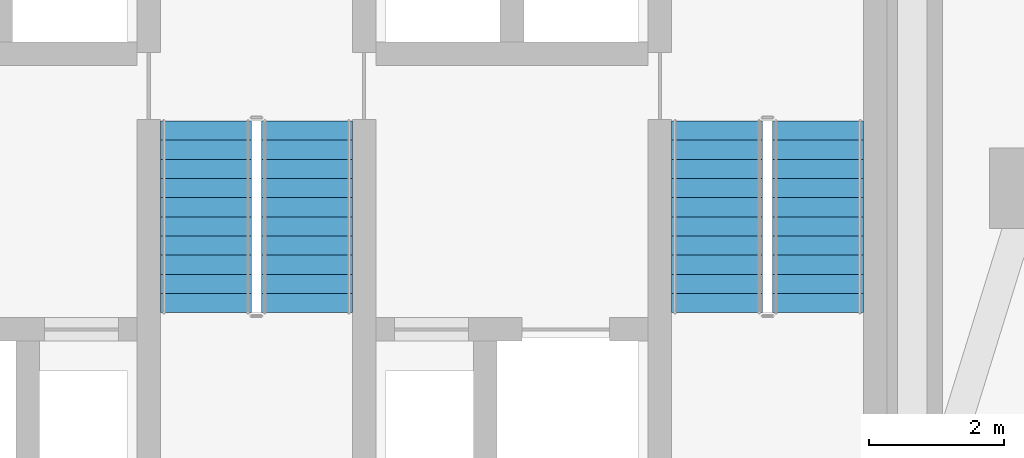
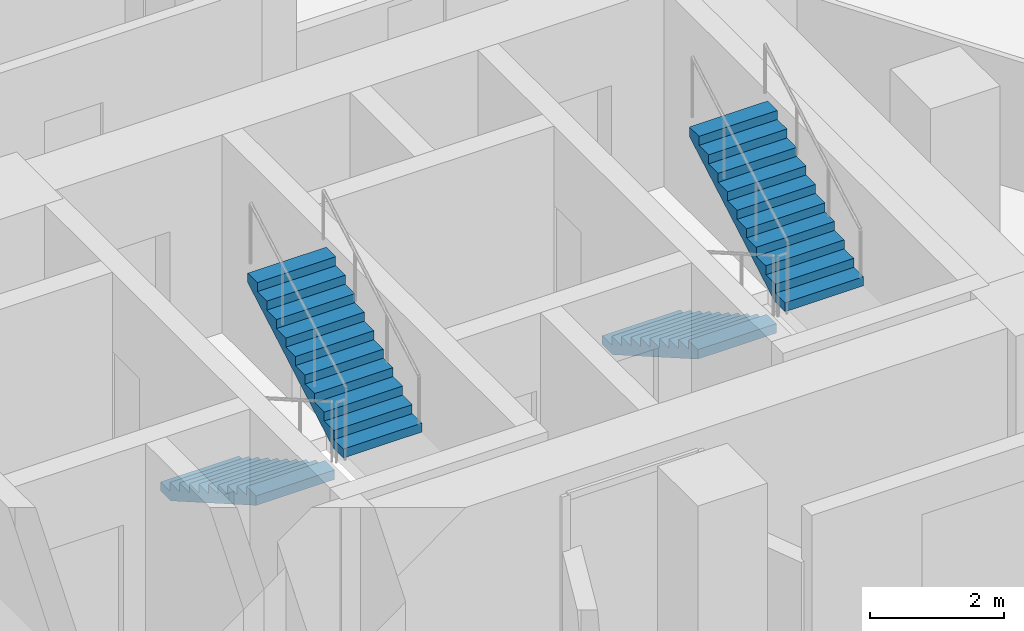
# One storey, part 10 of 13: 4 stair flights, 2 elements without a shape of their own.
"""IFC4 building model written with IfcOpenShell, lengths in metres."""

from ifc_helpers import new_model, si_unit, direction, frame, origin, place, context, subcontext, project, spatial, polyline, outline, extrude, material, type_object, element, aggregate, save


model = new_model("IFC4")

# Units and contexts
model_context = context("Model", 3, precision=1e-05, world=origin(), true_north=direction((0.0, 1.0)))
body_context = subcontext(model_context, "Body", "Model", "MODEL_VIEW")
ifc_project = project(units=[si_unit("LENGTHUNIT", "METRE"), si_unit("AREAUNIT", "SQUARE_METRE"), si_unit("VOLUMEUNIT", "CUBIC_METRE"), si_unit("PLANEANGLEUNIT", "RADIAN"), si_unit("MASSUNIT", "GRAM", prefix="KILO")], contexts=[model_context])

# Site, building, storey
site_placement = place(None, origin())
site = spatial("IfcSite", under=ifc_project, at=site_placement, CompositionType="ELEMENT")
building_placement = place(site_placement, origin())
building = spatial("IfcBuilding", under=site, at=building_placement, Name="Almagre Mirador Tower", CompositionType="ELEMENT")
storey_placement = place(building_placement, frame((0.0, 0.0, 75.0)))
storey = spatial("IfcBuildingStorey", under=building, at=storey_placement, Name="L18", CompositionType="ELEMENT", Elevation=75.0)

# Stair, stair flights
ifc_material_1 = material(Name="Concrete C45/55", Category="concrete")
stair_type = type_object("IfcStairType", Name="STR-DL-3600", PredefinedType="HALF_TURN_STAIR", material=ifc_material_1)
stair_1_placement = place(storey_placement, origin())
stair_1 = element("IfcStair", 1, at=stair_1_placement, inside=storey, type_object=stair_type, Name="L18 Protected exit stair ST-2", PredefinedType="HALF_TURN_STAIR")
ifc_material_2 = material(Name="Concrete C45/55", Category="concrete")
stair_flight_type = type_object("IfcStairFlightType", Name="FLT-DL-3600", PredefinedType="STRAIGHT", material=ifc_material_2)
stair_flight_1_placement = place(storey_placement, frame((36.550048828125, 11.199951171875, 0.0), z_axis=(0.0, 0.0, 1.0), x_axis=(0.0, -1.0, 0.0)))
stair_flight_1 = element("IfcStairFlight", 2, at=stair_flight_1_placement, type_object=stair_flight_type, Name="ST-2 flight 1", NumberOfRisers=11, NumberOfTreads=10, PredefinedType="STRAIGHT", RiserHeight=0.163636364, TreadLength=0.285, context=body_context, shape_type="SweptSolid", body=[
    extrude(outline(polyline([(0.0, 0.0), (0.0, 0.16357421875), (0.284912109375, 0.16357421875), (0.284912109375, 0.327392578125), (0.570068359375, 0.327392578125), (0.570068359375, 0.490966796875), (0.85498046875, 0.490966796875), (0.85498046875, 0.654541015625), (1.139892578125, 0.654541015625), (1.139892578125, 0.818115234375), (1.425048828125, 0.818115234375), (1.425048828125, 0.98193359375), (1.7099609375, 0.98193359375), (1.7099609375, 1.1455078125), (1.9951171875, 1.1455078125), (1.9951171875, 1.30908203125), (2.280029296875, 1.30908203125), (2.280029296875, 1.47265625), (2.56494140625, 1.47265625), (2.56494140625, 1.636474609375), (2.85009765625, 1.636474609375), (2.85009765625, 1.800048828125), (2.85009765625, 1.463623046875), (0.301025390625, 0.0), (0.0, 0.0)])), frame((0.0, 0.675048828125, 0.0), z_axis=(0.0, -1.0, 0.0), x_axis=(1.0, 0.0, 0.0)), (0.0, 0.0, 1.0), 1.35009765625),
])
stair_flight_2_placement = place(storey_placement, frame((38.050048828125, 8.35009765625, 1.800048828125), z_axis=(0.0, 0.0, 1.0), x_axis=(0.0, 1.0, 0.0)))
stair_flight_2 = element("IfcStairFlight", 3, at=stair_flight_2_placement, type_object=stair_flight_type, Name="ST-2 flight 2", NumberOfRisers=11, NumberOfTreads=10, PredefinedType="STRAIGHT", RiserHeight=0.163636364, TreadLength=0.285, context=body_context, shape_type="SweptSolid", body=[
    extrude(outline(polyline([(0.0, 0.0), (0.0, 0.16357421875), (0.284912109375, 0.16357421875), (0.284912109375, 0.327392578125), (0.570068359375, 0.327392578125), (0.570068359375, 0.490966796875), (0.85498046875, 0.490966796875), (0.85498046875, 0.654541015625), (1.139892578125, 0.654541015625), (1.139892578125, 0.818115234375), (1.425048828125, 0.818115234375), (1.425048828125, 0.98193359375), (1.7099609375, 0.98193359375), (1.7099609375, 1.1455078125), (1.9951171875, 1.1455078125), (1.9951171875, 1.30908203125), (2.280029296875, 1.30908203125), (2.280029296875, 1.47265625), (2.56494140625, 1.47265625), (2.56494140625, 1.636474609375), (2.85009765625, 1.636474609375), (2.85009765625, 1.800048828125), (2.85009765625, 1.463623046875), (0.301025390625, 0.0), (0.0, 0.0)])), frame((0.0, 0.675048828125, 0.0), z_axis=(0.0, -1.0, 0.0), x_axis=(1.0, 0.0, 0.0)), (0.0, 0.0, 1.0), 1.35009765625),
])
aggregate(stair_1, [stair_flight_1, stair_flight_2])

stair_2_placement = place(storey_placement, origin())
stair_2 = element("IfcStair", 4, at=stair_2_placement, inside=storey, type_object=stair_type, Name="L18 Protected exit stair ST-3", PredefinedType="HALF_TURN_STAIR")
stair_flight_3_placement = place(storey_placement, frame((44.14990234375, 11.199951171875, 0.0), z_axis=(0.0, 0.0, 1.0), x_axis=(0.0, -1.0, 0.0)))
stair_flight_3 = element("IfcStairFlight", 5, at=stair_flight_3_placement, type_object=stair_flight_type, Name="ST-3 flight 1", NumberOfRisers=11, NumberOfTreads=10, PredefinedType="STRAIGHT", RiserHeight=0.163636364, TreadLength=0.285, context=body_context, shape_type="SweptSolid", body=[
    extrude(outline(polyline([(0.0, 0.0), (0.0, 0.16357421875), (0.284912109375, 0.16357421875), (0.284912109375, 0.327392578125), (0.570068359375, 0.327392578125), (0.570068359375, 0.490966796875), (0.85498046875, 0.490966796875), (0.85498046875, 0.654541015625), (1.139892578125, 0.654541015625), (1.139892578125, 0.818115234375), (1.425048828125, 0.818115234375), (1.425048828125, 0.98193359375), (1.7099609375, 0.98193359375), (1.7099609375, 1.1455078125), (1.9951171875, 1.1455078125), (1.9951171875, 1.30908203125), (2.280029296875, 1.30908203125), (2.280029296875, 1.47265625), (2.56494140625, 1.47265625), (2.56494140625, 1.636474609375), (2.85009765625, 1.636474609375), (2.85009765625, 1.800048828125), (2.85009765625, 1.463623046875), (0.301025390625, 0.0), (0.0, 0.0)])), frame((0.0, 0.675048828125, 0.0), z_axis=(0.0, -1.0, 0.0), x_axis=(1.0, 0.0, 0.0)), (0.0, 0.0, 1.0), 1.35009765625),
])
stair_flight_4_placement = place(storey_placement, frame((45.64990234375, 8.35009765625, 1.800048828125), z_axis=(0.0, 0.0, 1.0), x_axis=(0.0, 1.0, 0.0)))
stair_flight_4 = element("IfcStairFlight", 6, at=stair_flight_4_placement, type_object=stair_flight_type, Name="ST-3 flight 2", NumberOfRisers=11, NumberOfTreads=10, PredefinedType="STRAIGHT", RiserHeight=0.163636364, TreadLength=0.285, context=body_context, shape_type="SweptSolid", body=[
    extrude(outline(polyline([(0.0, 0.0), (0.0, 0.16357421875), (0.284912109375, 0.16357421875), (0.284912109375, 0.327392578125), (0.570068359375, 0.327392578125), (0.570068359375, 0.490966796875), (0.85498046875, 0.490966796875), (0.85498046875, 0.654541015625), (1.139892578125, 0.654541015625), (1.139892578125, 0.818115234375), (1.425048828125, 0.818115234375), (1.425048828125, 0.98193359375), (1.7099609375, 0.98193359375), (1.7099609375, 1.1455078125), (1.9951171875, 1.1455078125), (1.9951171875, 1.30908203125), (2.280029296875, 1.30908203125), (2.280029296875, 1.47265625), (2.56494140625, 1.47265625), (2.56494140625, 1.636474609375), (2.85009765625, 1.636474609375), (2.85009765625, 1.800048828125), (2.85009765625, 1.463623046875), (0.301025390625, 0.0), (0.0, 0.0)])), frame((0.0, 0.675048828125, 0.0), z_axis=(0.0, -1.0, 0.0), x_axis=(1.0, 0.0, 0.0)), (0.0, 0.0, 1.0), 1.35009765625),
])
aggregate(stair_2, [stair_flight_3, stair_flight_4])

save(model, "model.ifc")
